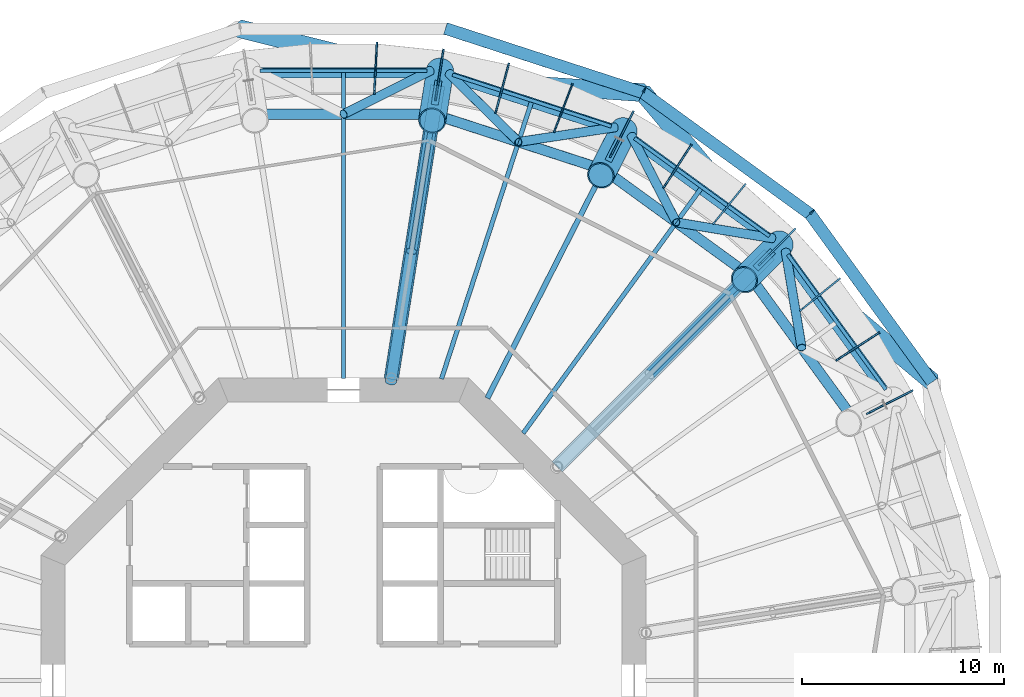
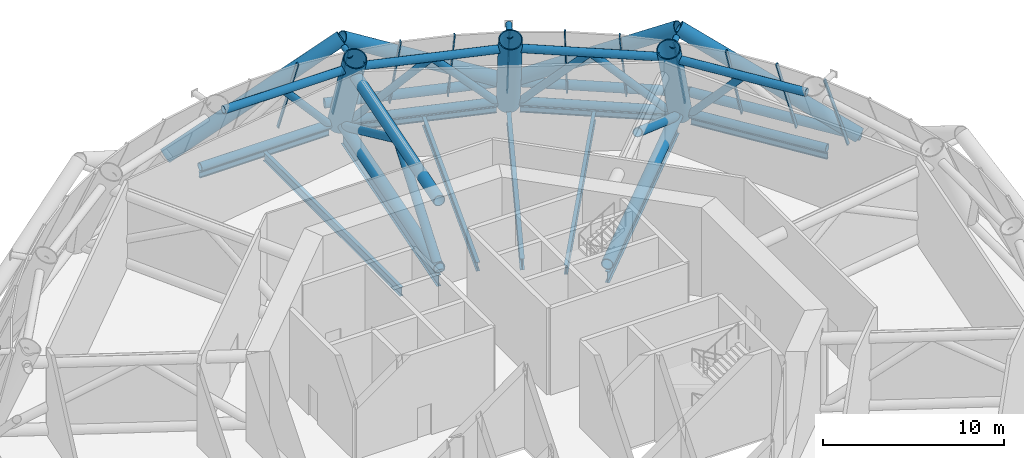
# One storey, part 6 of 18: 44 members, 10 beams, 4 elements without a shape of their own.
"""IFC4 building model written with IfcOpenShell, lengths in metres."""

from ifc_helpers import new_model, si_unit, direction, frame, origin, origin_2d, place, context, subcontext, project, spatial, rectangle, circle, hollow_circle, i_section, extrude, material, layer, layer_set, material_profile, profile_set, type_object, element, aggregate, save


model = new_model("IFC4")

# Units and contexts
model_context = context("Model", 3, precision=1e-05, world=origin(), true_north=direction((0.0, 1.0)))
body_context = subcontext(model_context, "Body", "Model", "MODEL_VIEW")
ifc_project = project(units=[si_unit("LENGTHUNIT", "METRE"), si_unit("AREAUNIT", "SQUARE_METRE"), si_unit("VOLUMEUNIT", "CUBIC_METRE"), si_unit("PLANEANGLEUNIT", "RADIAN"), si_unit("MASSUNIT", "GRAM", prefix="KILO")], contexts=[model_context])

# Site, building, storey
site_placement = place(None, origin())
site = spatial("IfcSite", under=ifc_project, at=site_placement, CompositionType="ELEMENT")
building_placement = place(site_placement, origin())
building = spatial("IfcBuilding", under=site, at=building_placement, Name="Entoto Ring Tower", CompositionType="ELEMENT")
storey_placement = place(building_placement, frame((0.0, 0.0, 138.0)))
storey = spatial("IfcBuildingStorey", under=building, at=storey_placement, Name="L31", CompositionType="ELEMENT", Elevation=138.0)

# Members
ifc_material_1 = material(Name="Steel S355", Category="steel")
ifc_material_profile_1 = material_profile(ifc_material_1, hollow_circle(Radius=0.449951171875, WallThickness=0.044921875, at=origin_2d()), Name="CHS 900 x 45")
ifc_material_2 = material(Name="Concrete C60/75", Category="concrete")
ifc_material_profile_2 = material_profile(ifc_material_2, circle(Radius=0.405029296875, at=origin_2d()), Name="Concrete C60/75 infill")
ifc_profile_set_1 = profile_set([ifc_material_profile_1, ifc_material_profile_2], Name="Steel S355")
member_type_1 = type_object("IfcMemberType", Name="Diagrid diagonal 900 x 45 concrete-filled tube", PredefinedType="BRACE", material=ifc_profile_set_1)
for number, where, z_axis, x_axis, name in (
    (1, (119.135986328125, 94.845458984375, 0.0), (-0.660190481953, 0.552271543356, 0.509062540301), (-0.641631920107, -0.767012698134, 0.0), "DG2 module 10 02"),
    (2, (104.845458984375, 109.135986328125, 0.0), (0.552271543356, -0.660190481953, 0.509062540301), (0.767012698134, 0.641631920107, 0.0), "DG2 module 10 03"),
):
    element("IfcMember", number, at=place(storey_placement, frame(where, z_axis=z_axis, x_axis=x_axis)), inside=storey, type_object=member_type_1, Name=name, PredefinedType="BRACE", context=body_context, shape_type="SweptSolid", body=[
        extrude(hollow_circle(Radius=0.449951171875, WallThickness=0.044921875, at=origin_2d()), origin(), (0.0, 0.0, 1.0), 11.786376953125),
    ])
member_1_placement = place(storey_placement, frame((104.845458984375, 109.135986328125, 0.0), z_axis=(-0.858720728799, 0.058724268288, 0.509067942661), x_axis=(-0.068226410257, -0.997669863704, 0.0)))
element("IfcMember", 3, at=member_1_placement, inside=storey, type_object=member_type_1, Name="DG2 module 10 04", PredefinedType="BRACE", context=body_context, shape_type="SweptSolid", body=[
    extrude(hollow_circle(Radius=0.449951171875, WallThickness=0.044921875, at=origin_2d()), origin(), (0.0, 0.0, 1.0), 11.7861328125),
])
member_2_placement = place(storey_placement, frame((84.884521484375, 112.29736328125, 0.0), z_axis=(0.834845945044, -0.209498607785, 0.509060488919), x_axis=(0.243396217162, 0.969926946461, 0.0)))
element("IfcMember", 4, at=member_2_placement, inside=storey, type_object=member_type_1, Name="DG2 module 10 05", PredefinedType="BRACE", context=body_context, shape_type="SweptSolid", body=[
    extrude(hollow_circle(Radius=0.449951171875, WallThickness=0.044921875, at=origin_2d()), origin(), (0.0, 0.0, 1.0), 11.786376953125),
])
ifc_material_3 = material(Name="Steel S355", Category="steel")
ifc_material_profile_3 = material_profile(ifc_material_3, hollow_circle(Radius=0.177734375, WallThickness=0.01611328125, at=origin_2d()), Name="CHS 355.6 x 16")
ifc_material_4 = material(Name="Concrete C60/75", Category="concrete")
ifc_material_profile_4 = material_profile(ifc_material_4, circle(Radius=0.161865234375, at=origin_2d()), Name="Concrete C60/75 infill")
ifc_profile_set_2 = profile_set([ifc_material_profile_3, ifc_material_profile_4], Name="Steel S355")
member_type_2 = type_object("IfcMemberType", Name="Diagrid node strut 355.6 x 16", PredefinedType="STRUT", material=ifc_profile_set_2)
member_3_placement = place(storey_placement, frame((110.429443359375, 100.429443359375, 5.672119140625), z_axis=(0.707106781187, 0.707106781187, 0.0), x_axis=(-0.707106781187, 0.707106781187, 0.0)))
element("IfcMember", 5, at=member_3_placement, inside=storey, type_object=member_type_2, Name="DS1 strut ring 10 03", PredefinedType="STRUT", context=body_context, shape_type="SweptSolid", body=[
    extrude(hollow_circle(Radius=0.177734375, WallThickness=0.01611328125, at=origin_2d()), origin(), (0.0, 0.0, 1.0), 1.20849609375),
])
member_4_placement = place(storey_placement, frame((103.116455078125, 105.74267578125, 5.672119140625), z_axis=(0.453989339683, 0.891007115266, 0.0), x_axis=(-0.891007115266, 0.453989339683, 0.0)))
element("IfcMember", 6, at=member_4_placement, inside=storey, type_object=member_type_2, Name="DS1 strut ring 10 04", PredefinedType="STRUT", context=body_context, shape_type="SweptSolid", body=[
    extrude(hollow_circle(Radius=0.177734375, WallThickness=0.01611328125, at=origin_2d()), origin(), (0.0, 0.0, 1.0), 1.208251953125),
])
member_5_placement = place(storey_placement, frame((94.51953125, 108.535888671875, 5.672119140625), z_axis=(0.156564231664, 0.987667778842, 0.0), x_axis=(-0.987667778842, 0.156564231664, 0.0)))
element("IfcMember", 7, at=member_5_placement, inside=storey, type_object=member_type_2, Name="DS1 strut ring 10 05", PredefinedType="STRUT", context=body_context, shape_type="SweptSolid", body=[
    extrude(hollow_circle(Radius=0.177734375, WallThickness=0.01611328125, at=origin_2d()), origin(), (0.0, 0.0, 1.0), 1.20849609375),
])
ifc_material_5 = material(Name="Steel S355", Category="steel")
ifc_material_profile_5 = material_profile(ifc_material_5, hollow_circle(Radius=0.300048828125, WallThickness=0.030029296875, at=origin_2d()), Name="CHS 600 x 30")
ifc_material_6 = material(Name="Concrete C60/75", Category="concrete")
ifc_material_profile_6 = material_profile(ifc_material_6, circle(Radius=0.27001953125, at=origin_2d()), Name="Concrete C60/75 infill")
ifc_profile_set_3 = profile_set([ifc_material_profile_5, ifc_material_profile_6], Name="Steel S355")
member_type_3 = type_object("IfcMemberType", Name="Diagrid ring beam 600 x 30", PredefinedType="CHORD", material=ifc_profile_set_3)
for number, where, z_axis, x_axis, name in (
    (8, (119.175537109375, 94.790771484375, 0.0), (-0.587773909122, 0.809025235549, 0.0), (-0.809025235549, -0.587773909122, 0.0), "DR1 ring 9 01"),
    (9, (113.177001953125, 103.082763671875, 0.0), (-0.809025235549, 0.587773909122, 0.0), (-0.587773909122, -0.809025235549, 0.0), "DR1 ring 9 02"),
):
    element("IfcMember", number, at=place(storey_placement, frame(where, z_axis=z_axis, x_axis=x_axis)), inside=storey, type_object=member_type_3, Name=name, PredefinedType="CHORD", context=body_context, shape_type="SweptSolid", body=[
        extrude(hollow_circle(Radius=0.300048828125, WallThickness=0.030029296875, at=origin_2d()), origin(), (0.0, 0.0, 1.0), 10.365966796875),
    ])
member_6_placement = place(storey_placement, frame((104.90966796875, 109.114990234375, 0.0), z_axis=(-0.951051375491, 0.309032815696, 0.0), x_axis=(-0.309032815696, -0.951051375491, 0.0)))
element("IfcMember", 10, at=member_6_placement, inside=storey, type_object=member_type_3, Name="DR1 ring 9 03", PredefinedType="CHORD", context=body_context, shape_type="SweptSolid", body=[
    extrude(hollow_circle(Radius=0.300048828125, WallThickness=0.030029296875, at=origin_2d()), origin(), (0.0, 0.0, 1.0), 10.36572265625),
])

# Beams
ifc_material_7 = material(Name="Steel S355", Category="steel")
ifc_material_profile_7 = material_profile(ifc_material_7, i_section(OverallWidth=0.179931640625, OverallDepth=0.39990234375, WebThickness=0.008544921875, FlangeThickness=0.013427734375, FilletRadius=0.02099609375, at=origin_2d()), Name="IPE 400")
ifc_profile_set_4 = profile_set([ifc_material_profile_7], Name="Steel S355")
beam_type_1 = type_object("IfcBeamType", Name="Edge beam IPE 400", PredefinedType="SPANDREL", material=ifc_profile_set_4)
for number, where, z_axis, x_axis, name in (
    (11, (116.88330078125, 94.4169921875, -0.35009765625), (-0.587776972549, 0.809023009896, 0.0), (-0.809023009896, -0.587776972549, 0.0), "Edge beam L31 02"),
    (12, (111.112548828125, 102.018798828125, -0.35009765625), (-0.809023009896, 0.587776972549, 0.0), (-0.587776972549, -0.809023009896, 0.0), "Edge beam L31 03"),
):
    element("IfcBeam", number, at=place(storey_placement, frame(where, z_axis=z_axis, x_axis=x_axis)), inside=storey, type_object=beam_type_1, Name=name, PredefinedType="SPANDREL", context=body_context, shape_type="SweptSolid", body=[
        extrude(i_section(OverallWidth=0.179931640625, OverallDepth=0.39990234375, WebThickness=0.008544921875, FlangeThickness=0.013427734375, FilletRadius=0.02099609375, at=origin_2d()), origin(), (0.0, 0.0, 1.0), 8.276123046875),
    ])
for number, where, z_axis, x_axis, name in (
    (13, (103.27490234375, 107.46533203125, -0.35009765625), (-0.951057262656, 0.309014697302, 0.0), (-0.309014697302, -0.951057262656, 0.0), "Edge beam L31 04"),
    (14, (94.137939453125, 110.22314453125, -0.35009765625), (-1.0, 0.0, 0.0), (0.0, -1.0, 0.0), "Edge beam L31 05"),
):
    element("IfcBeam", number, at=place(storey_placement, frame(where, z_axis=z_axis, x_axis=x_axis)), inside=storey, type_object=beam_type_1, Name=name, PredefinedType="SPANDREL", context=body_context, shape_type="SweptSolid", body=[
        extrude(i_section(OverallWidth=0.179931640625, OverallDepth=0.39990234375, WebThickness=0.008544921875, FlangeThickness=0.013427734375, FilletRadius=0.02099609375, at=origin_2d()), origin(), (0.0, 0.0, 1.0), 8.27587890625),
    ])

# Curtain wall, members
ifc_material_8 = material(Name="Anodised aluminium", Category="aluminium")
ifc_layer = layer(ifc_material_8, 0.10009765625)
ifc_layer_set = layer_set([ifc_layer], Name="Anodised aluminium")
curtain_wall_type = type_object("IfcCurtainWallType", Name="Louvre curtain wall system CW7", PredefinedType="NOTDEFINED", material=ifc_layer_set)
curtain_wall_1_placement = place(storey_placement, origin())
curtain_wall_1 = element("IfcCurtainWall", 15, at=curtain_wall_1_placement, inside=storey, type_object=curtain_wall_type, Name="CW7 L31-02", PredefinedType="NOTDEFINED")
ifc_material_9 = material(Name="Anodised aluminium", Category="aluminium")
ifc_material_profile_8 = material_profile(ifc_material_9, rectangle(XDim=0.080078125, YDim=0.199951171875, at=origin_2d()), Name="Mullion 80 x 200 mm anodised aluminium")
ifc_profile_set_5 = profile_set([ifc_material_profile_8], Name="Anodised aluminium")
member_type_4 = type_object("IfcMemberType", Name="Mullion 80 x 200 mm anodised aluminium", PredefinedType="MULLION", material=ifc_profile_set_5)
member_7_placement = place(storey_placement, frame((118.14892578125, 94.342529296875, 0.03857421875), z_axis=(-0.342707021712, -0.174613111757, 0.923072130698), x_axis=(0.453980514773, -0.891011611713, 0.0)))
member_7 = element("IfcMember", 16, at=member_7_placement, type_object=member_type_4, Name="MULLION L31-03", PredefinedType="MULLION", context=body_context, shape_type="SweptSolid", body=[
    extrude(rectangle(XDim=0.080078125, YDim=0.199951171875, at=origin_2d()), origin(), (0.0, 0.0, 1.0), 6.254150390625),
])
member_8_placement = place(storey_placement, frame((116.49560546875, 97.206298828125, 0.03857421875), z_axis=(-0.322565689083, -0.209474462982, 0.923077367064), x_axis=(0.544635112654, -0.838673115143, 0.0)))
member_8 = element("IfcMember", 17, at=member_8_placement, type_object=member_type_4, Name="MULLION L31-04", PredefinedType="MULLION", context=body_context, shape_type="SweptSolid", body=[
    extrude(rectangle(XDim=0.080078125, YDim=0.199951171875, at=origin_2d()), origin(), (0.0, 0.0, 1.0), 6.25390625),
])
member_9_placement = place(storey_placement, frame((114.5517578125, 99.881591796875, 0.03857421875), z_axis=(-0.298909386308, -0.242031891748, 0.923078405204), x_axis=(0.629288738535, -0.777171592091, 0.0)))
member_9 = element("IfcMember", 18, at=member_9_placement, type_object=member_type_4, Name="MULLION L31-05", PredefinedType="MULLION", context=body_context, shape_type="SweptSolid", body=[
    extrude(rectangle(XDim=0.080078125, YDim=0.199951171875, at=origin_2d()), origin(), (0.0, 0.0, 1.0), 6.25390625),
])
aggregate(curtain_wall_1, [member_7, member_8, member_9])

curtain_wall_2_placement = place(storey_placement, origin())
curtain_wall_2 = element("IfcCurtainWall", 19, at=curtain_wall_2_placement, inside=storey, type_object=curtain_wall_type, Name="CW7 L31-03", PredefinedType="NOTDEFINED")
member_10_placement = place(storey_placement, frame((112.339111328125, 102.339111328125, 0.03857421875), z_axis=(-0.271971811529, -0.271971811529, 0.923072406405), x_axis=(0.707106781187, -0.707106781187, 0.0)))
member_10 = element("IfcMember", 20, at=member_10_placement, type_object=member_type_4, Name="MULLION L31-06", PredefinedType="MULLION", context=body_context, shape_type="SweptSolid", body=[
    extrude(rectangle(XDim=0.080078125, YDim=0.199951171875, at=origin_2d()), origin(), (0.0, 0.0, 1.0), 6.254150390625),
])
member_11_placement = place(storey_placement, frame((109.881591796875, 104.5517578125, 0.03857421875), z_axis=(-0.242031891748, -0.298909386308, 0.923078405204), x_axis=(0.777171592091, -0.629288738535, 0.0)))
member_11 = element("IfcMember", 21, at=member_11_placement, type_object=member_type_4, Name="MULLION L31-07", PredefinedType="MULLION", context=body_context, shape_type="SweptSolid", body=[
    extrude(rectangle(XDim=0.080078125, YDim=0.199951171875, at=origin_2d()), origin(), (0.0, 0.0, 1.0), 6.25390625),
])
member_12_placement = place(storey_placement, frame((107.206298828125, 106.49560546875, 0.03857421875), z_axis=(-0.209474462982, -0.322565689083, 0.923077367064), x_axis=(0.838673115143, -0.544635112654, 0.0)))
member_12 = element("IfcMember", 22, at=member_12_placement, type_object=member_type_4, Name="MULLION L31-08", PredefinedType="MULLION", context=body_context, shape_type="SweptSolid", body=[
    extrude(rectangle(XDim=0.080078125, YDim=0.199951171875, at=origin_2d()), origin(), (0.0, 0.0, 1.0), 6.25390625),
])
aggregate(curtain_wall_2, [member_10, member_11, member_12])

curtain_wall_3_placement = place(storey_placement, origin())
curtain_wall_3 = element("IfcCurtainWall", 23, at=curtain_wall_3_placement, inside=storey, type_object=curtain_wall_type, Name="CW7 L31-04", PredefinedType="NOTDEFINED")
member_13_placement = place(storey_placement, frame((104.342529296875, 108.14892578125, 0.03857421875), z_axis=(-0.174613111757, -0.342707021712, 0.923072130698), x_axis=(0.891011611713, -0.453980514773, 0.0)))
member_13 = element("IfcMember", 24, at=member_13_placement, type_object=member_type_4, Name="MULLION L31-09", PredefinedType="MULLION", context=body_context, shape_type="SweptSolid", body=[
    extrude(rectangle(XDim=0.080078125, YDim=0.199951171875, at=origin_2d()), origin(), (0.0, 0.0, 1.0), 6.254150390625),
])
member_14_placement = place(storey_placement, frame((101.32177734375, 109.493896484375, 0.03857421875), z_axis=(-0.137840906866, -0.359065607861, 0.92307733893), x_axis=(0.933573002991, -0.358387287841, 0.0)))
member_14 = element("IfcMember", 25, at=member_14_placement, type_object=member_type_4, Name="MULLION L31-10", PredefinedType="MULLION", context=body_context, shape_type="SweptSolid", body=[
    extrude(rectangle(XDim=0.080078125, YDim=0.199951171875, at=origin_2d()), origin(), (0.0, 0.0, 1.0), 6.25390625),
])
member_15_placement = place(storey_placement, frame((98.1767578125, 110.515869140625, 0.03857421875), z_axis=(-0.099544909119, -0.371517215719, 0.923074086676), x_axis=(0.965927664957, -0.258812183003, 0.0)))
member_15 = element("IfcMember", 26, at=member_15_placement, type_object=member_type_4, Name="MULLION L31-11", PredefinedType="MULLION", context=body_context, shape_type="SweptSolid", body=[
    extrude(rectangle(XDim=0.080078125, YDim=0.199951171875, at=origin_2d()), origin(), (0.0, 0.0, 1.0), 6.254150390625),
])
aggregate(curtain_wall_3, [member_13, member_14, member_15])

curtain_wall_4_placement = place(storey_placement, origin())
curtain_wall_4 = element("IfcCurtainWall", 27, at=curtain_wall_4_placement, inside=storey, type_object=curtain_wall_type, Name="CW7 L31-05", PredefinedType="NOTDEFINED")
member_16_placement = place(storey_placement, frame((94.942138671875, 111.203369140625, 0.03857421875), z_axis=(-0.060156755817, -0.379873712431, 0.923080238838), x_axis=(0.987692088264, -0.156410801358, 0.0)))
member_16 = element("IfcMember", 28, at=member_16_placement, type_object=member_type_4, Name="MULLION L31-12", PredefinedType="MULLION", context=body_context, shape_type="SweptSolid", body=[
    extrude(rectangle(XDim=0.080078125, YDim=0.199951171875, at=origin_2d()), origin(), (0.0, 0.0, 1.0), 6.25390625),
])
member_17_placement = place(storey_placement, frame((91.6533203125, 111.549072265625, 0.03857421875), z_axis=(-0.020104239044, -0.384088559131, 0.923077352293), x_axis=(0.998632928395, -0.052271161513, 0.0)))
member_17 = element("IfcMember", 29, at=member_17_placement, type_object=member_type_4, Name="MULLION L31-13", PredefinedType="MULLION", context=body_context, shape_type="SweptSolid", body=[
    extrude(rectangle(XDim=0.080078125, YDim=0.199951171875, at=origin_2d()), origin(), (0.0, 0.0, 1.0), 6.25390625),
])
aggregate(curtain_wall_4, [member_16, member_17])

# Members
ifc_material_10 = material(Name="Steel S355", Category="steel")
ifc_material_profile_9 = material_profile(ifc_material_10, hollow_circle(Radius=0.35546875, WallThickness=0.0400390625, at=origin_2d()), Name="CHS 711 x 40")
ifc_material_11 = material(Name="Concrete C60/75", Category="concrete")
ifc_material_profile_10 = material_profile(ifc_material_11, circle(Radius=0.3154296875, at=origin_2d()), Name="Concrete C60/75 infill")
ifc_profile_set_6 = profile_set([ifc_material_profile_9, ifc_material_profile_10], Name="Steel S355")
member_type_5 = type_object("IfcMemberType", Name="Outrigger chord 711 x 40", PredefinedType="CHORD", material=ifc_profile_set_6)
member_18_placement = place(storey_placement, frame((100.592529296875, 90.592529296875, 0.35546875), z_axis=(0.707106781187, 0.707106781187, 0.0), x_axis=(-0.707106781187, 0.707106781187, 0.0)))
element("IfcMember", 30, at=member_18_placement, inside=storey, type_object=member_type_5, Name="OR1 L31 bottom 02", PredefinedType="CHORD", context=body_context, shape_type="SweptSolid", body=[
    extrude(hollow_circle(Radius=0.35546875, WallThickness=0.0400390625, at=origin_2d()), origin(), (0.0, 0.0, 1.0), 14.870361328125),
])
member_19_placement = place(storey_placement, frame((92.36376953125, 94.924560546875, 0.35546875), z_axis=(0.156443123004, 0.987686969269, 0.0), x_axis=(-0.987686969269, 0.156443123004, 0.0)))
element("IfcMember", 31, at=member_19_placement, inside=storey, type_object=member_type_5, Name="OR1 L31 bottom 03", PredefinedType="CHORD", context=body_context, shape_type="SweptSolid", body=[
    extrude(hollow_circle(Radius=0.35546875, WallThickness=0.0400390625, at=origin_2d()), origin(), (0.0, 0.0, 1.0), 14.739501953125),
])
member_20_placement = place(storey_placement, frame((92.36376953125, 94.924560546875, 4.89453125), z_axis=(0.156440678087, 0.987687356525, 0.0), x_axis=(-0.987687356525, 0.156440678087, 0.0)))
element("IfcMember", 32, at=member_20_placement, inside=storey, type_object=member_type_5, Name="OR1 L31 top 03", PredefinedType="CHORD", context=body_context, shape_type="SweptSolid", body=[
    extrude(hollow_circle(Radius=0.35546875, WallThickness=0.0400390625, at=origin_2d()), origin(), (0.0, 0.0, 1.0), 12.848388671875),
])
ifc_material_12 = material(Name="Steel S355", Category="steel")
ifc_material_profile_11 = material_profile(ifc_material_12, hollow_circle(Radius=0.279541015625, WallThickness=0.031982421875, at=origin_2d()), Name="CHS 559 x 32")
ifc_material_13 = material(Name="Concrete C60/75", Category="concrete")
ifc_material_profile_12 = material_profile(ifc_material_13, circle(Radius=0.24755859375, at=origin_2d()), Name="Concrete C60/75 infill")
ifc_profile_set_7 = profile_set([ifc_material_profile_11, ifc_material_profile_12], Name="Steel S355")
member_type_6 = type_object("IfcMemberType", Name="Outrigger diagonal 559 x 32", PredefinedType="BRACE", material=ifc_profile_set_7)
member_21_placement = place(storey_placement, frame((105.162353515625, 95.162353515625, 4.89453125), z_axis=(0.62097693458, 0.62097693458, -0.478304603197), x_axis=(-0.707106781187, 0.707106781187, 0.0)))
element("IfcMember", 33, at=member_21_placement, inside=storey, type_object=member_type_6, Name="OR2 L31 02 2", PredefinedType="BRACE", context=body_context, shape_type="SweptSolid", body=[
    extrude(hollow_circle(Radius=0.279541015625, WallThickness=0.031982421875, at=origin_2d()), origin(), (0.0, 0.0, 1.0), 9.59814453125),
])
member_22_placement = place(storey_placement, frame((92.346923828125, 94.817626953125, 0.223388671875), z_axis=(0.127267435137, 0.803483969529, 0.581563849172), x_axis=(-0.98768680661, 0.156444149931, 0.0)))
element("IfcMember", 34, at=member_22_placement, inside=storey, type_object=member_type_6, Name="OR2 L31 03 1", PredefinedType="BRACE", context=body_context, shape_type="SweptSolid", body=[
    extrude(hollow_circle(Radius=0.279541015625, WallThickness=0.031982421875, at=origin_2d()), origin(), (0.0, 0.0, 1.0), 8.031982421875),
])
member_23_placement = place(storey_placement, frame((93.369140625, 101.271240234375, 4.89453125), z_axis=(0.137005124238, 0.865125410982, -0.48248069309), x_axis=(-0.987691388535, 0.156415219895, 0.0)))
element("IfcMember", 35, at=member_23_placement, inside=storey, type_object=member_type_6, Name="OR2 L31 03 2", PredefinedType="BRACE", context=body_context, shape_type="SweptSolid", body=[
    extrude(hollow_circle(Radius=0.279541015625, WallThickness=0.031982421875, at=origin_2d()), origin(), (0.0, 0.0, 1.0), 9.517578125),
])

# Beams
ifc_material_14 = material(Name="Steel S355", Category="steel")
ifc_material_profile_13 = material_profile(ifc_material_14, i_section(OverallWidth=0.262939453125, OverallDepth=0.7529296875, WebThickness=0.011474609375, FlangeThickness=0.01708984375, FilletRadius=0.01708984375, at=origin_2d()), Name="IPE 750 x 137")
ifc_profile_set_8 = profile_set([ifc_material_profile_13], Name="Steel S355")
beam_type_2 = type_object("IfcBeamType", Name="Primary floor beam IPE 750 x 137", PredefinedType="BEAM", material=ifc_profile_set_8)
beam_1_placement = place(storey_placement, frame((100.592529296875, 90.592529296875, -0.526611328125), z_axis=(0.707106781187, 0.707106781187, 0.0), x_axis=(-0.707106781187, 0.707106781187, 0.0)))
element("IfcBeam", 36, at=beam_1_placement, inside=storey, type_object=beam_type_2, Name="Primary L31 R03", PredefinedType="BEAM", context=body_context, shape_type="SweptSolid", body=[
    extrude(i_section(OverallWidth=0.262939453125, OverallDepth=0.7529296875, WebThickness=0.011474609375, FlangeThickness=0.01708984375, FilletRadius=0.01708984375, at=origin_2d()), origin(), (0.0, 0.0, 1.0), 14.977783203125),
])
beam_2_placement = place(storey_placement, frame((97.1318359375, 93.9970703125, -0.526611328125), z_axis=(0.453992772788, 0.891005366009, 0.0), x_axis=(-0.891005366009, 0.453992772788, 0.0)))
element("IfcBeam", 37, at=beam_2_placement, inside=storey, type_object=beam_type_2, Name="Primary L31 R04", PredefinedType="BEAM", context=body_context, shape_type="SweptSolid", body=[
    extrude(i_section(OverallWidth=0.262939453125, OverallDepth=0.7529296875, WebThickness=0.011474609375, FlangeThickness=0.01708984375, FilletRadius=0.01708984375, at=origin_2d()), origin(), (0.0, 0.0, 1.0), 14.24853515625),
])
beam_3_placement = place(storey_placement, frame((92.369384765625, 94.959716796875, -0.526611328125), z_axis=(0.156439088977, 0.987687608224, 0.0), x_axis=(-0.987687608224, 0.156439088977, 0.0)))
element("IfcBeam", 38, at=beam_3_placement, inside=storey, type_object=beam_type_2, Name="Primary L31 R05", PredefinedType="BEAM", context=body_context, shape_type="SweptSolid", body=[
    extrude(i_section(OverallWidth=0.262939453125, OverallDepth=0.7529296875, WebThickness=0.011474609375, FlangeThickness=0.01708984375, FilletRadius=0.01708984375, at=origin_2d()), origin(), (0.0, 0.0, 1.0), 14.811767578125),
])

# Members
ifc_material_15 = material(Name="Steel S355", Category="steel")
ifc_material_profile_14 = material_profile(ifc_material_15, hollow_circle(Radius=0.675048828125, WallThickness=0.06005859375, at=origin_2d()), Name="CHS 1350 x 60")
ifc_material_16 = material(Name="Concrete C60/75", Category="concrete")
ifc_material_profile_15 = material_profile(ifc_material_16, circle(Radius=0.614990234375, at=origin_2d()), Name="Concrete C60/75 infill")
ifc_profile_set_9 = profile_set([ifc_material_profile_14, ifc_material_profile_15], Name="Steel S355")
member_type_7 = type_object("IfcMemberType", Name="Ring column jog 1350 x 60 concrete-filled tube", PredefinedType="STRUT", material=ifc_profile_set_9)
for number, where, z_axis, x_axis, name in (
    (39, (111.637451171875, 101.637451171875, 0.0), (-0.271971397377, -0.271971397377, 0.923072650455), (0.707106781187, -0.707106781187, 0.0), "RJ2B R03"),
    (40, (103.89208984375, 107.264892578125, 0.0), (-0.174616520339, -0.342697597672, 0.923074984698), (0.891002976909, -0.453997461601, 0.0), "RJ2B R04"),
    (41, (94.786865234375, 110.22314453125, 0.0), (-0.060172056163, -0.379850189746, 0.923088921506), (0.987684444718, -0.156459060658, 0.0), "RJ2B R05"),
):
    element("IfcMember", number, at=place(storey_placement, frame(where, z_axis=z_axis, x_axis=x_axis)), inside=storey, type_object=member_type_7, Name=name, PredefinedType="STRUT", context=body_context, shape_type="SweptSolid", body=[
        extrude(hollow_circle(Radius=0.675048828125, WallThickness=0.06005859375, at=origin_2d()), origin(), (0.0, 0.0, 1.0), 6.5),
    ])
ifc_material_17 = material(Name="Steel S355", Category="steel")
ifc_material_profile_16 = material_profile(ifc_material_17, hollow_circle(Radius=0.25390625, WallThickness=0.030029296875, at=origin_2d()), Name="CHS 508 x 30")
ifc_material_18 = material(Name="Concrete C60/75", Category="concrete")
ifc_material_profile_17 = material_profile(ifc_material_18, circle(Radius=0.22412109375, at=origin_2d()), Name="Concrete C60/75 infill")
ifc_profile_set_10 = profile_set([ifc_material_profile_16, ifc_material_profile_17], Name="Steel S355")
member_type_8 = type_object("IfcMemberType", Name="Ring truss chord 508 x 30", PredefinedType="CHORD", material=ifc_profile_set_10)
member_24_placement = place(storey_placement, frame((116.81298828125, 94.3359375, 0.25390625), z_axis=(-0.587777532484, 0.809022603088, 0.0), x_axis=(-0.809022603088, -0.587777532484, 0.0)))
element("IfcMember", 42, at=member_24_placement, inside=storey, type_object=member_type_8, Name="BT1 L31 bottom 02", PredefinedType="CHORD", context=body_context, shape_type="SweptSolid", body=[
    extrude(hollow_circle(Radius=0.25390625, WallThickness=0.030029296875, at=origin_2d()), origin(), (0.0, 0.0, 1.0), 8.32470703125),
])
member_25_placement = place(storey_placement, frame((114.963623046875, 93.3935546875, 5.236083984375), z_axis=(-0.58780282135, 0.809004229416, 0.0), x_axis=(-0.809004229416, -0.58780282135, 0.0)))
element("IfcMember", 43, at=member_25_placement, inside=storey, type_object=member_type_8, Name="BT1 L31 top 02", PredefinedType="CHORD", context=body_context, shape_type="SweptSolid", body=[
    extrude(hollow_circle(Radius=0.25390625, WallThickness=0.030029296875, at=origin_2d()), origin(), (0.0, 0.0, 1.0), 7.675048828125),
])
member_26_placement = place(storey_placement, frame((111.07080078125, 101.919921875, 0.25390625), z_axis=(-0.809022603088, 0.587777532484, 0.0), x_axis=(-0.587777532484, -0.809022603088, 0.0)))
element("IfcMember", 44, at=member_26_placement, inside=storey, type_object=member_type_8, Name="BT1 L31 bottom 03", PredefinedType="CHORD", context=body_context, shape_type="SweptSolid", body=[
    extrude(hollow_circle(Radius=0.25390625, WallThickness=0.030029296875, at=origin_2d()), origin(), (0.0, 0.0, 1.0), 8.32470703125),
])
member_27_placement = place(storey_placement, frame((109.602783203125, 100.4521484375, 5.236083984375), z_axis=(-0.809004229416, 0.58780282135, 0.0), x_axis=(-0.58780282135, -0.809004229416, 0.0)))
element("IfcMember", 45, at=member_27_placement, inside=storey, type_object=member_type_8, Name="BT1 L31 top 03", PredefinedType="CHORD", context=body_context, shape_type="SweptSolid", body=[
    extrude(hollow_circle(Radius=0.25390625, WallThickness=0.030029296875, at=origin_2d()), origin(), (0.0, 0.0, 1.0), 7.675048828125),
])
member_28_placement = place(storey_placement, frame((103.265869140625, 107.3583984375, 0.25390625), z_axis=(-0.951054971996, 0.309021747199, 0.0), x_axis=(-0.309021747199, -0.951054971996, 0.0)))
element("IfcMember", 46, at=member_28_placement, inside=storey, type_object=member_type_8, Name="BT1 L31 bottom 04", PredefinedType="CHORD", context=body_context, shape_type="SweptSolid", body=[
    extrude(hollow_circle(Radius=0.25390625, WallThickness=0.030029296875, at=origin_2d()), origin(), (0.0, 0.0, 1.0), 8.32470703125),
])
member_29_placement = place(storey_placement, frame((102.323486328125, 105.5087890625, 5.236083984375), z_axis=(-0.951054403512, 0.309023496777, 0.0), x_axis=(-0.309023496777, -0.951054403512, 0.0)))
element("IfcMember", 47, at=member_29_placement, inside=storey, type_object=member_type_8, Name="BT1 L31 top 04", PredefinedType="CHORD", context=body_context, shape_type="SweptSolid", body=[
    extrude(hollow_circle(Radius=0.25390625, WallThickness=0.030029296875, at=origin_2d()), origin(), (0.0, 0.0, 1.0), 7.67529296875),
])
member_30_placement = place(storey_placement, frame((94.162353515625, 110.11865234375, 0.25390625), z_axis=(-1.0, 0.0, 0.0), x_axis=(0.0, -1.0, 0.0)))
element("IfcMember", 48, at=member_30_placement, inside=storey, type_object=member_type_8, Name="BT1 L31 bottom 05", PredefinedType="CHORD", context=body_context, shape_type="SweptSolid", body=[
    extrude(hollow_circle(Radius=0.25390625, WallThickness=0.030029296875, at=origin_2d()), origin(), (0.0, 0.0, 1.0), 8.32470703125),
])
member_31_placement = place(storey_placement, frame((93.837646484375, 108.068359375, 5.236083984375), z_axis=(-1.0, 0.0, 0.0), x_axis=(0.0, -1.0, 0.0)))
element("IfcMember", 49, at=member_31_placement, inside=storey, type_object=member_type_8, Name="BT1 L31 top 05", PredefinedType="CHORD", context=body_context, shape_type="SweptSolid", body=[
    extrude(hollow_circle(Radius=0.25390625, WallThickness=0.030029296875, at=origin_2d()), origin(), (0.0, 0.0, 1.0), 7.67529296875),
])
ifc_material_19 = material(Name="Steel S355", Category="steel")
ifc_material_profile_18 = material_profile(ifc_material_19, hollow_circle(Radius=0.228515625, WallThickness=0.02001953125, at=origin_2d()), Name="CHS 457 x 20")
ifc_material_20 = material(Name="Concrete C60/75", Category="concrete")
ifc_material_profile_19 = material_profile(ifc_material_20, circle(Radius=0.20849609375, at=origin_2d()), Name="Concrete C60/75 infill")
ifc_profile_set_11 = profile_set([ifc_material_profile_18, ifc_material_profile_19], Name="Steel S355")
member_type_9 = type_object("IfcMemberType", Name="Ring truss diagonal 457 x 20", PredefinedType="BRACE", material=ifc_profile_set_11)
for number, where, z_axis, x_axis, name in (
    (50, (112.707763671875, 96.498291015625, 5.236083984375), (-0.110584625243, 0.667651678261, -0.736214830858), (-0.98655891849, -0.163405937307, 0.0), "BT2 L31 02 b"),
    (51, (111.2578125, 101.91943359375, -0.01220703125), (-0.667651678261, 0.110584625243, 0.736214830858), (-0.163405937307, -0.98655891849, 0.0), "BT2 L31 03 a"),
):
    element("IfcMember", number, at=place(storey_placement, frame(where, z_axis=z_axis, x_axis=x_axis)), inside=storey, type_object=member_type_9, Name=name, PredefinedType="BRACE", context=body_context, shape_type="SweptSolid", body=[
        extrude(hollow_circle(Radius=0.228515625, WallThickness=0.02001953125, at=origin_2d()), origin(), (0.0, 0.0, 1.0), 7.128662109375),
    ])
for number, where, z_axis, x_axis, name in (
    (52, (106.498291015625, 102.707763671875, 5.236083984375), (-0.311504993202, 0.600818337811, -0.736194243498), (-0.887772911812, -0.460281714879, 0.0), "BT2 L31 03 b"),
    (53, (103.444091796875, 107.41552734375, -0.01220703125), (-0.669173052268, -0.101129376835, 0.736193096449), (0.149429120526, -0.988772439917, 0.0), "BT2 L31 04 a"),
    (54, (98.673583984375, 106.694580078125, 5.236083984375), (-0.481912772872, 0.475166268021, -0.736190937921), (-0.702104901778, -0.712073526329, 0.0), "BT2 L31 04 b"),
    (55, (94.314208984375, 110.228271484375, -0.01220703125), (-0.605166030745, -0.302976847604, 0.736192301677), (0.447679076632, -0.89419429899, 0.0), "BT2 L31 05 a"),
):
    element("IfcMember", number, at=place(storey_placement, frame(where, z_axis=z_axis, x_axis=x_axis)), inside=storey, type_object=member_type_9, Name=name, PredefinedType="BRACE", context=body_context, shape_type="SweptSolid", body=[
        extrude(hollow_circle(Radius=0.228515625, WallThickness=0.02001953125, at=origin_2d()), origin(), (0.0, 0.0, 1.0), 7.12890625),
    ])

# Beams
ifc_material_21 = material(Name="Steel S355", Category="steel")
ifc_material_profile_20 = material_profile(ifc_material_21, i_section(OverallWidth=0.219970703125, OverallDepth=0.60009765625, WebThickness=0.011962890625, FlangeThickness=0.01904296875, FilletRadius=0.02392578125, at=origin_2d()), Name="IPE 600")
ifc_profile_set_12 = profile_set([ifc_material_profile_20], Name="Steel S355")
beam_type_3 = type_object("IfcBeamType", Name="Secondary floor beam IPE 600", PredefinedType="JOIST", material=ifc_profile_set_12)
beam_4_placement = place(storey_placement, frame((98.90478515625, 92.25634765625, -0.449951171875), z_axis=(0.587782163866, 0.809019238239, 0.0), x_axis=(-0.809019238239, 0.587782163866, 0.0)))
element("IfcBeam", 56, at=beam_4_placement, inside=storey, type_object=beam_type_3, Name="Secondary beam L31 03", PredefinedType="JOIST", context=body_context, shape_type="SweptSolid", body=[
    extrude(i_section(OverallWidth=0.219970703125, OverallDepth=0.60009765625, WebThickness=0.011962890625, FlangeThickness=0.01904296875, FilletRadius=0.02392578125, at=origin_2d()), origin(), (0.0, 0.0, 1.0), 14.983642578125),
])
beam_5_placement = place(storey_placement, frame((94.856689453125, 94.947021484375, -0.449951171875), z_axis=(0.309014850288, 0.951057212949, 0.0), x_axis=(-0.951057212949, 0.309014850288, 0.0)))
element("IfcBeam", 57, at=beam_5_placement, inside=storey, type_object=beam_type_3, Name="Secondary beam L31 04", PredefinedType="JOIST", context=body_context, shape_type="SweptSolid", body=[
    extrude(i_section(OverallWidth=0.219970703125, OverallDepth=0.60009765625, WebThickness=0.011962890625, FlangeThickness=0.01904296875, FilletRadius=0.02392578125, at=origin_2d()), origin(), (0.0, 0.0, 1.0), 14.4169921875),
])
beam_6_placement = place(storey_placement, frame((90.0, 94.97998046875, -0.449951171875), z_axis=(0.0, 1.0, 0.0), x_axis=(-1.0, 0.0, 0.0)))
element("IfcBeam", 58, at=beam_6_placement, inside=storey, type_object=beam_type_3, Name="Secondary beam L31 05", PredefinedType="JOIST", context=body_context, shape_type="SweptSolid", body=[
    extrude(i_section(OverallWidth=0.219970703125, OverallDepth=0.60009765625, WebThickness=0.011962890625, FlangeThickness=0.01904296875, FilletRadius=0.02392578125, at=origin_2d()), origin(), (0.0, 0.0, 1.0), 15.1533203125),
])

save(model, "model.ifc")
